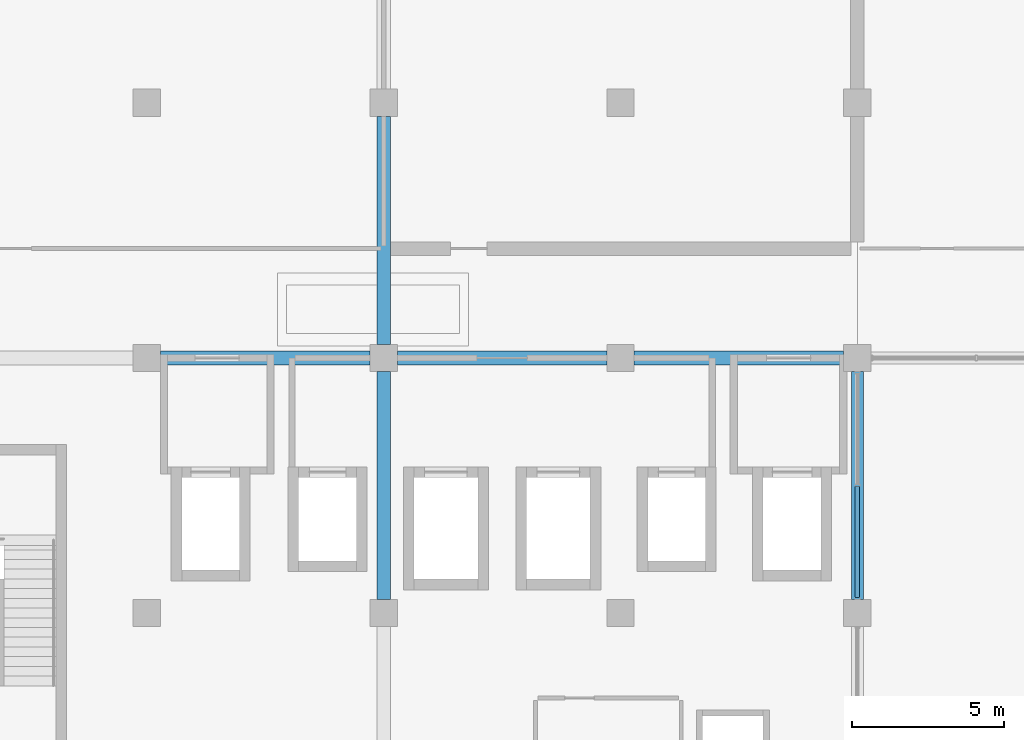
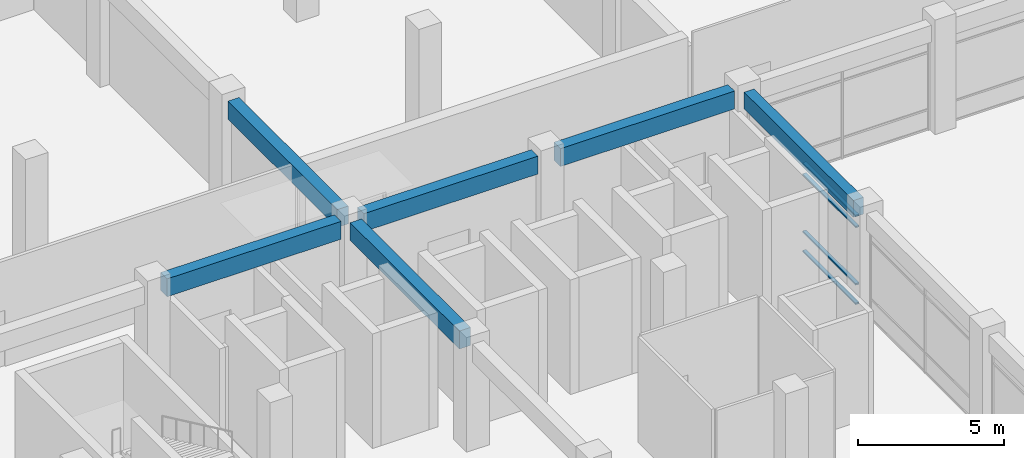
# One storey, part 8 of 74: 6 beams, 4 members, 1 element without a shape of its own.
"""IFC4 building model written with IfcOpenShell, lengths in metres."""

from ifc_helpers import new_model, si_unit, direction, frame, origin, origin_2d, place, context, subcontext, project, spatial, rectangle, hollow_rectangle, extrude, material, material_profile, profile_set, type_object, element, aggregate, save


model = new_model("IFC4")

# Units and contexts
model_context = context("Model", 3, precision=1e-05, world=origin(), true_north=direction((0.0, 1.0)))
body_context = subcontext(model_context, "Body", "Model", "MODEL_VIEW")
ifc_project = project(units=[si_unit("LENGTHUNIT", "METRE"), si_unit("AREAUNIT", "SQUARE_METRE"), si_unit("VOLUMEUNIT", "CUBIC_METRE"), si_unit("PLANEANGLEUNIT", "RADIAN"), si_unit("MASSUNIT", "GRAM", prefix="KILO"), si_unit("THERMODYNAMICTEMPERATUREUNIT", "KELVIN"), si_unit("POWERUNIT", "WATT")], contexts=[model_context])

# Site, building, storey
site_placement = place(None, origin())
site = spatial("IfcSite", under=ifc_project, at=site_placement, CompositionType="ELEMENT")
building_placement = place(site_placement, origin())
building = spatial("IfcBuilding", under=site, at=building_placement, Name="Srebrne Nadtorze General Hospital", CompositionType="ELEMENT")
storey_placement = place(building_placement, origin())
storey = spatial("IfcBuildingStorey", under=building, at=storey_placement, Name="L00", CompositionType="ELEMENT", Elevation=0.0)

# Curtain wall, members
ifc_material_1 = material(Name="Anodised Aluminium", Category="aluminium")
curtain_wall_type = type_object("IfcCurtainWallType", Name="Unitised curtain wall 7500x3750", PredefinedType="NOTDEFINED", material=ifc_material_1)
curtain_wall_placement = place(storey_placement, origin())
curtain_wall = element("IfcCurtainWall", 1, at=curtain_wall_placement, inside=storey, type_object=curtain_wall_type, Name="Curtain wall CW-021", PredefinedType="NOTDEFINED")
ifc_material_2 = material(Name="Anodised Aluminium", Category="aluminium")
ifc_material_profile_1 = material_profile(ifc_material_2, hollow_rectangle(XDim=0.06494140625, YDim=0.139892578125, WallThickness=0.00390625, at=origin_2d()), Name="AL-TRN-65x140")
ifc_profile_set_1 = profile_set([ifc_material_profile_1], Name="Anodised Aluminium")
member_type = type_object("IfcMemberType", Name="Curtain transom 65x140", PredefinedType="USERDEFINED", material=ifc_profile_set_1)
member_1_placement = place(storey_placement, frame((54.60009765625, 42.514892578125, 0.032470703125), z_axis=(0.0, 1.0, 0.0), x_axis=(0.0, 0.0, 1.0)))
member_1 = element("IfcMember", 2, at=member_1_placement, type_object=member_type, Name="CW-021 transom 1.1", ObjectType="TRANSOM", PredefinedType="USERDEFINED", context=body_context, shape_type="SweptSolid", body=[
    extrude(hollow_rectangle(XDim=0.06494140625, YDim=0.139892578125, WallThickness=0.00390625, at=origin_2d()), origin(), (0.0, 0.0, 1.0), 3.652587890625),
])
member_2_placement = place(storey_placement, frame((54.60009765625, 42.514892578125, 0.85009765625), z_axis=(0.0, 1.0, 0.0), x_axis=(0.0, 0.0, 1.0)))
member_2 = element("IfcMember", 3, at=member_2_placement, type_object=member_type, Name="CW-021 transom 1.2", ObjectType="TRANSOM", PredefinedType="USERDEFINED", context=body_context, shape_type="SweptSolid", body=[
    extrude(hollow_rectangle(XDim=0.06494140625, YDim=0.139892578125, WallThickness=0.00390625, at=origin_2d()), origin(), (0.0, 0.0, 1.0), 3.652587890625),
])
member_3_placement = place(storey_placement, frame((54.60009765625, 42.514892578125, 3.25), z_axis=(0.0, 1.0, 0.0), x_axis=(0.0, 0.0, 1.0)))
member_3 = element("IfcMember", 4, at=member_3_placement, type_object=member_type, Name="CW-021 transom 1.3", ObjectType="TRANSOM", PredefinedType="USERDEFINED", context=body_context, shape_type="SweptSolid", body=[
    extrude(hollow_rectangle(XDim=0.06494140625, YDim=0.139892578125, WallThickness=0.00390625, at=origin_2d()), origin(), (0.0, 0.0, 1.0), 3.652587890625),
])
member_4_placement = place(storey_placement, frame((54.60009765625, 42.514892578125, 3.717529296875), z_axis=(0.0, 1.0, 0.0), x_axis=(0.0, 0.0, 1.0)))
member_4 = element("IfcMember", 5, at=member_4_placement, type_object=member_type, Name="CW-021 transom 1.4", ObjectType="TRANSOM", PredefinedType="USERDEFINED", context=body_context, shape_type="SweptSolid", body=[
    extrude(hollow_rectangle(XDim=0.06494140625, YDim=0.139892578125, WallThickness=0.00390625, at=origin_2d()), origin(), (0.0, 0.0, 1.0), 3.652587890625),
])
aggregate(curtain_wall, [member_1, member_2, member_3, member_4])

# Beams
ifc_material_3 = material(Name="Concrete C40/50", Category="concrete")
ifc_material_profile_2 = material_profile(ifc_material_3, rectangle(XDim=0.39990234375, YDim=0.699951171875, at=origin_2d()), Name="RC-BM-400x700")
ifc_profile_set_2 = profile_set([ifc_material_profile_2], Name="Concrete C40/50")
beam_type_1 = type_object("IfcBeamType", Name="Edge beam RC 400x700", PredefinedType="BEAM", material=ifc_profile_set_2)
beam_1_placement = place(storey_placement, frame((54.60009765625, 42.449951171875, 4.10009765625), z_axis=(0.0, 1.0, 0.0), x_axis=(-1.0, 0.0, 0.0)))
element("IfcBeam", 6, at=beam_1_placement, inside=storey, type_object=beam_type_1, Name="Beam BM-L00-Y-0310", PredefinedType="BEAM", context=body_context, shape_type="SweptSolid", body=[
    extrude(rectangle(XDim=0.39990234375, YDim=0.699951171875, at=origin_2d()), origin(), (0.0, 0.0, 1.0), 7.5),
])
ifc_material_4 = material(Name="Concrete C40/50", Category="concrete")
ifc_material_profile_3 = material_profile(ifc_material_4, rectangle(XDim=0.449951171875, YDim=0.75, at=origin_2d()), Name="RC-BM-450x750")
ifc_profile_set_3 = profile_set([ifc_material_profile_3], Name="Concrete C40/50")
beam_type_2 = type_object("IfcBeamType", Name="Primary beam RC 450x750", PredefinedType="BEAM", material=ifc_profile_set_3)
for number, where, z_axis, x_axis, name in (
    (7, (31.64990234375, 50.39990234375, 4.074951171875), (1.0, 0.0, 0.0), (0.0, 1.0, 0.0), "Beam BM-L00-X-0224"),
    (8, (39.449951171875, 50.39990234375, 4.074951171875), (1.0, 0.0, 0.0), (0.0, 1.0, 0.0), "Beam BM-L00-X-0225"),
):
    element("IfcBeam", number, at=place(storey_placement, frame(where, z_axis=z_axis, x_axis=x_axis)), inside=storey, type_object=beam_type_2, Name=name, PredefinedType="BEAM", context=body_context, shape_type="SweptSolid", body=[
        extrude(rectangle(XDim=0.449951171875, YDim=0.75, at=origin_2d()), origin(), (0.0, 0.0, 1.0), 6.900146484375),
    ])
beam_2_placement = place(storey_placement, frame((47.25, 50.39990234375, 4.074951171875), z_axis=(1.0, 0.0, 0.0), x_axis=(0.0, 1.0, 0.0)))
element("IfcBeam", 9, at=beam_2_placement, inside=storey, type_object=beam_type_2, Name="Beam BM-L00-X-0226", PredefinedType="BEAM", context=body_context, shape_type="SweptSolid", body=[
    extrude(rectangle(XDim=0.449951171875, YDim=0.75, at=origin_2d()), origin(), (0.0, 0.0, 1.0), 6.89990234375),
])
for number, where, z_axis, x_axis, name in (
    (10, (39.0, 42.449951171875, 4.074951171875), (0.0, 1.0, 0.0), (-1.0, 0.0, 0.0), "Beam BM-L00-Y-0299"),
    (11, (39.0, 50.85009765625, 4.074951171875), (0.0, 1.0, 0.0), (-1.0, 0.0, 0.0), "Beam BM-L00-Y-0300"),
):
    element("IfcBeam", number, at=place(storey_placement, frame(where, z_axis=z_axis, x_axis=x_axis)), inside=storey, type_object=beam_type_2, Name=name, PredefinedType="BEAM", context=body_context, shape_type="SweptSolid", body=[
        extrude(rectangle(XDim=0.449951171875, YDim=0.75, at=origin_2d()), origin(), (0.0, 0.0, 1.0), 7.5),
    ])

save(model, "model.ifc")
